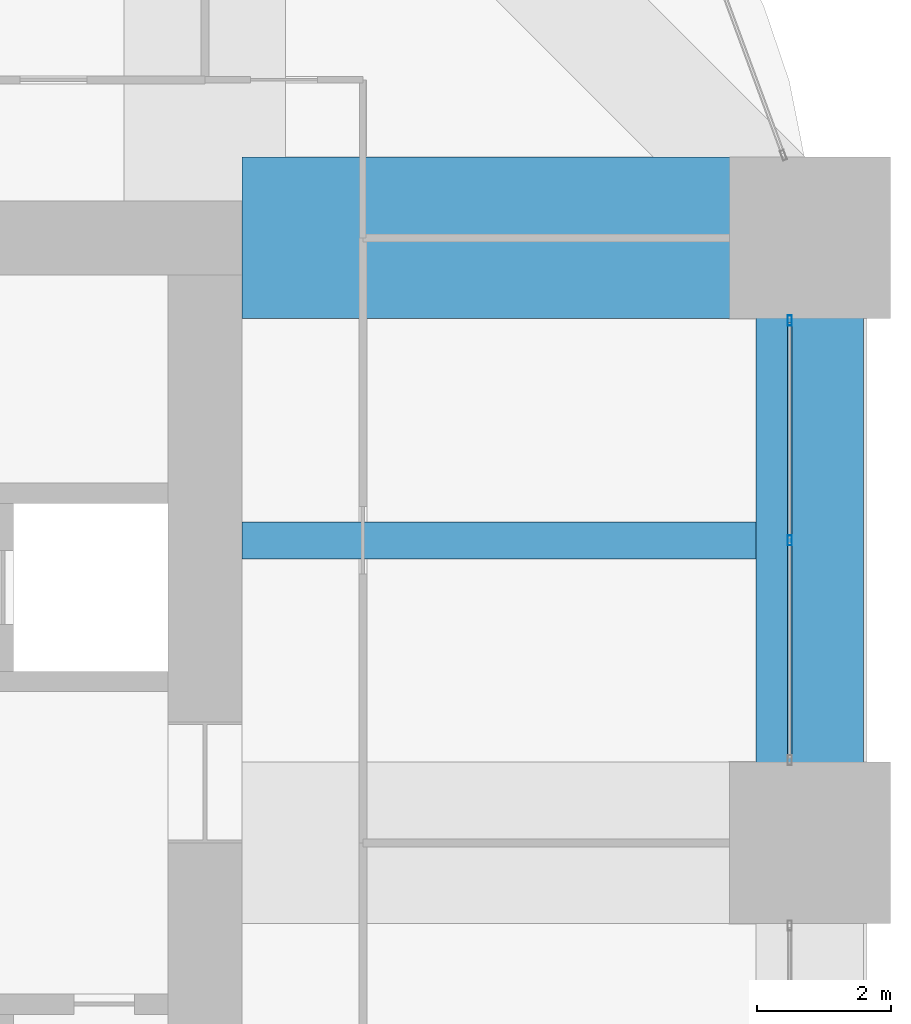
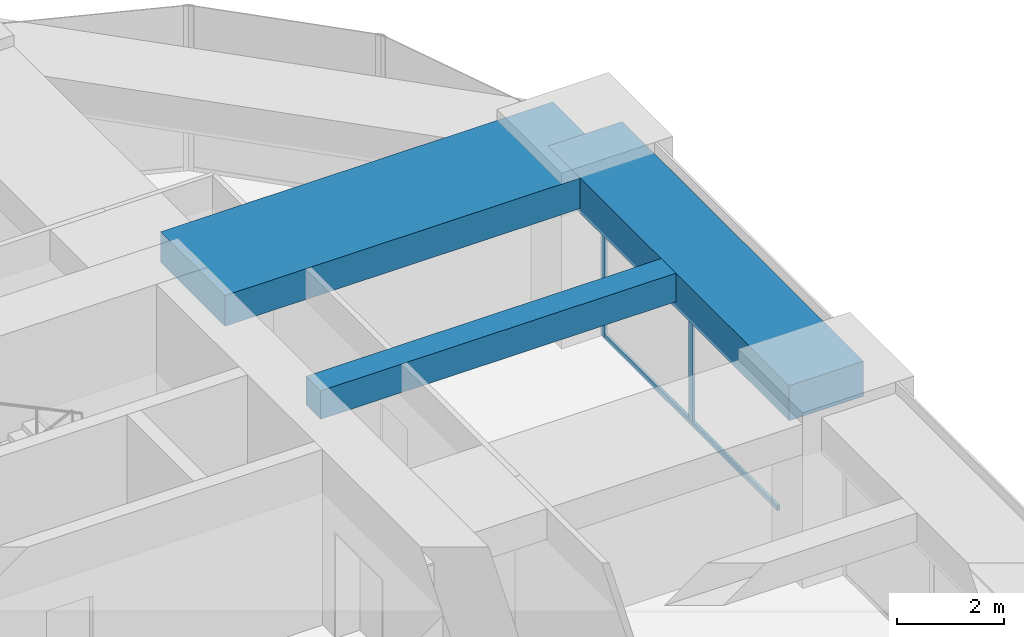
# One storey, part 27 of 35: 3 beams, 3 members, 1 element without a shape of its own.
"""IFC4 building model written with IfcOpenShell, lengths in metres."""

from ifc_helpers import new_model, si_unit, direction, frame, origin, origin_2d, place, context, subcontext, project, spatial, rectangle, hollow_rectangle, extrude, material, material_profile, profile_set, type_object, element, aggregate, save


model = new_model("IFC4")

# Units and contexts
model_context = context("Model", 3, precision=1e-05, world=origin(), true_north=direction((0.0, 1.0)))
body_context = subcontext(model_context, "Body", "Model", "MODEL_VIEW")
ifc_project = project(units=[si_unit("LENGTHUNIT", "METRE"), si_unit("AREAUNIT", "SQUARE_METRE"), si_unit("VOLUMEUNIT", "CUBIC_METRE"), si_unit("PLANEANGLEUNIT", "RADIAN"), si_unit("MASSUNIT", "GRAM", prefix="KILO")], contexts=[model_context])

# Site, building, storey
site_placement = place(None, origin())
site = spatial("IfcSite", under=ifc_project, at=site_placement, CompositionType="ELEMENT")
building_placement = place(site_placement, origin())
building = spatial("IfcBuilding", under=site, at=building_placement, Name="Zorevar Civic Tower", CompositionType="ELEMENT")
storey_placement = place(building_placement, frame((0.0, 0.0, 218.199951171875)))
storey = spatial("IfcBuildingStorey", under=building, at=storey_placement, Name="L53", CompositionType="ELEMENT", Elevation=218.199951171875)

# Beams
ifc_material_1 = material(Name="Concrete C50/60", Category="concrete")
ifc_material_profile_1 = material_profile(ifc_material_1, rectangle(XDim=2.39990234375, YDim=0.699951171875, at=origin_2d()), Name="RC 2400x700")
ifc_profile_set_1 = profile_set([ifc_material_profile_1], Name="Concrete C50/60")
beam_type_1 = type_object("IfcBeamType", Name="Beam RC 2400x700", PredefinedType="BEAM", material=ifc_profile_set_1)
beam_1_placement = place(storey_placement, frame((45.550048828125, 36.0, 3.400146484375), z_axis=(1.0, 0.0, 0.0), x_axis=(0.0, 1.0, 0.0)))
element("IfcBeam", 1, at=beam_1_placement, inside=storey, type_object=beam_type_1, Name="Girder L54", PredefinedType="BEAM", context=body_context, shape_type="SweptSolid", body=[
    extrude(rectangle(XDim=2.39990234375, YDim=0.699951171875, at=origin_2d()), origin(), (0.0, 0.0, 1.0), 8.449951171875),
])
ifc_material_2 = material(Name="Concrete C50/60", Category="concrete")
ifc_material_profile_2 = material_profile(ifc_material_2, rectangle(XDim=0.550048828125, YDim=0.64990234375, at=origin_2d()), Name="RC 550x650")
ifc_profile_set_2 = profile_set([ifc_material_profile_2], Name="Concrete C50/60")
beam_type_2 = type_object("IfcBeamType", Name="Beam RC 550x650", PredefinedType="BEAM", material=ifc_profile_set_2)
beam_2_placement = place(storey_placement, frame((45.550048828125, 31.5, 3.425048828125), z_axis=(1.0, 0.0, 0.0), x_axis=(0.0, 1.0, 0.0)))
element("IfcBeam", 2, at=beam_2_placement, inside=storey, type_object=beam_type_2, Name="Secondary beam L54", PredefinedType="BEAM", context=body_context, shape_type="SweptSolid", body=[
    extrude(rectangle(XDim=0.550048828125, YDim=0.64990234375, at=origin_2d()), origin(), (0.0, 0.0, 1.0), 7.64990234375),
])

# Curtain wall, members
ifc_material_3 = material(Name="Dark grey solar-control glass in black aluminium frame", Category="aluminium")
curtain_wall_type = type_object("IfcCurtainWallType", Name="Curtain wall CW4 high zone", PredefinedType="NOTDEFINED", material=ifc_material_3)
curtain_wall_placement = place(storey_placement, origin())
curtain_wall = element("IfcCurtainWall", 3, at=curtain_wall_placement, inside=storey, type_object=curtain_wall_type, Name="CW4 L53", PredefinedType="NOTDEFINED")
ifc_material_4 = material(Name="Aluminium, black anodised", Category="aluminium")
ifc_material_profile_3 = material_profile(ifc_material_4, hollow_rectangle(XDim=0.06005859375, YDim=0.14990234375, WallThickness=0.00390625, at=origin_2d()), Name="AL 150x60x4")
ifc_profile_set_3 = profile_set([ifc_material_profile_3], Name="Aluminium, black anodised")
member_type_1 = type_object("IfcMemberType", Name="CW4 mullion AL 150x60x4", PredefinedType="MULLION", material=ifc_profile_set_3)
member_1_placement = place(storey_placement, frame((53.699951171875, 31.5, 0.06005859375), z_axis=(0.0, 0.0, 1.0), x_axis=(-1.0, 0.0, 0.0)))
member_1 = element("IfcMember", 4, at=member_1_placement, type_object=member_type_1, Name="CW4 mullion 2", PredefinedType="MULLION", context=body_context, shape_type="SweptSolid", body=[
    extrude(hollow_rectangle(XDim=0.06005859375, YDim=0.14990234375, WallThickness=0.00390625, at=origin_2d()), origin(), (0.0, 0.0, 1.0), 2.889892578125),
])
member_2_placement = place(storey_placement, frame((53.699951171875, 34.77001953125, 0.0), z_axis=(0.0, 0.0, 1.0), x_axis=(-1.0, 0.0, 0.0)))
member_2 = element("IfcMember", 5, at=member_2_placement, type_object=member_type_1, Name="CW4 mullion 3", PredefinedType="MULLION", context=body_context, shape_type="SweptSolid", body=[
    extrude(hollow_rectangle(XDim=0.06005859375, YDim=0.14990234375, WallThickness=0.00390625, at=origin_2d()), origin(), (0.0, 0.0, 1.0), 2.949951171875),
])
ifc_material_5 = material(Name="Aluminium, black anodised", Category="aluminium")
ifc_material_profile_4 = material_profile(ifc_material_5, hollow_rectangle(XDim=0.06005859375, YDim=0.1201171875, WallThickness=0.0029296875, at=origin_2d()), Name="AL 120x60x3")
ifc_profile_set_4 = profile_set([ifc_material_profile_4], Name="Aluminium, black anodised")
member_type_2 = type_object("IfcMemberType", Name="CW4 transom AL 120x60x3", PredefinedType="USERDEFINED", material=ifc_profile_set_4)
member_3_placement = place(storey_placement, frame((53.699951171875, 28.260009765625, 0.030029296875), z_axis=(0.0, 1.0, 0.0), x_axis=(-1.0, 0.0, 0.0)))
member_3 = element("IfcMember", 6, at=member_3_placement, type_object=member_type_2, Name="CW4 sill transom", ObjectType="TRANSOM", PredefinedType="USERDEFINED", context=body_context, shape_type="SweptSolid", body=[
    extrude(hollow_rectangle(XDim=0.06005859375, YDim=0.1201171875, WallThickness=0.0029296875, at=origin_2d()), origin(), (0.0, 0.0, 1.0), 6.47998046875),
])
aggregate(curtain_wall, [member_1, member_2, member_3])

# Beam
ifc_material_6 = material(Name="Concrete C50/60", Category="concrete")
ifc_material_profile_5 = material_profile(ifc_material_6, rectangle(XDim=1.60009765625, YDim=0.800048828125, at=origin_2d()), Name="RC 1600x800")
ifc_profile_set_5 = profile_set([ifc_material_profile_5], Name="Concrete C50/60")
beam_type_3 = type_object("IfcBeamType", Name="Edge beam RC 1600x800", PredefinedType="SPANDREL", material=ifc_profile_set_5)
beam_3_placement = place(storey_placement, frame((54.0, 27.0, 3.35009765625), z_axis=(0.0, 1.0, 0.0), x_axis=(-1.0, 0.0, 0.0)))
element("IfcBeam", 7, at=beam_3_placement, inside=storey, type_object=beam_type_3, Name="Edge beam L54", PredefinedType="SPANDREL", context=body_context, shape_type="SweptSolid", body=[
    extrude(rectangle(XDim=1.60009765625, YDim=0.800048828125, at=origin_2d()), origin(), (0.0, 0.0, 1.0), 9.0),
])

save(model, "model.ifc")
